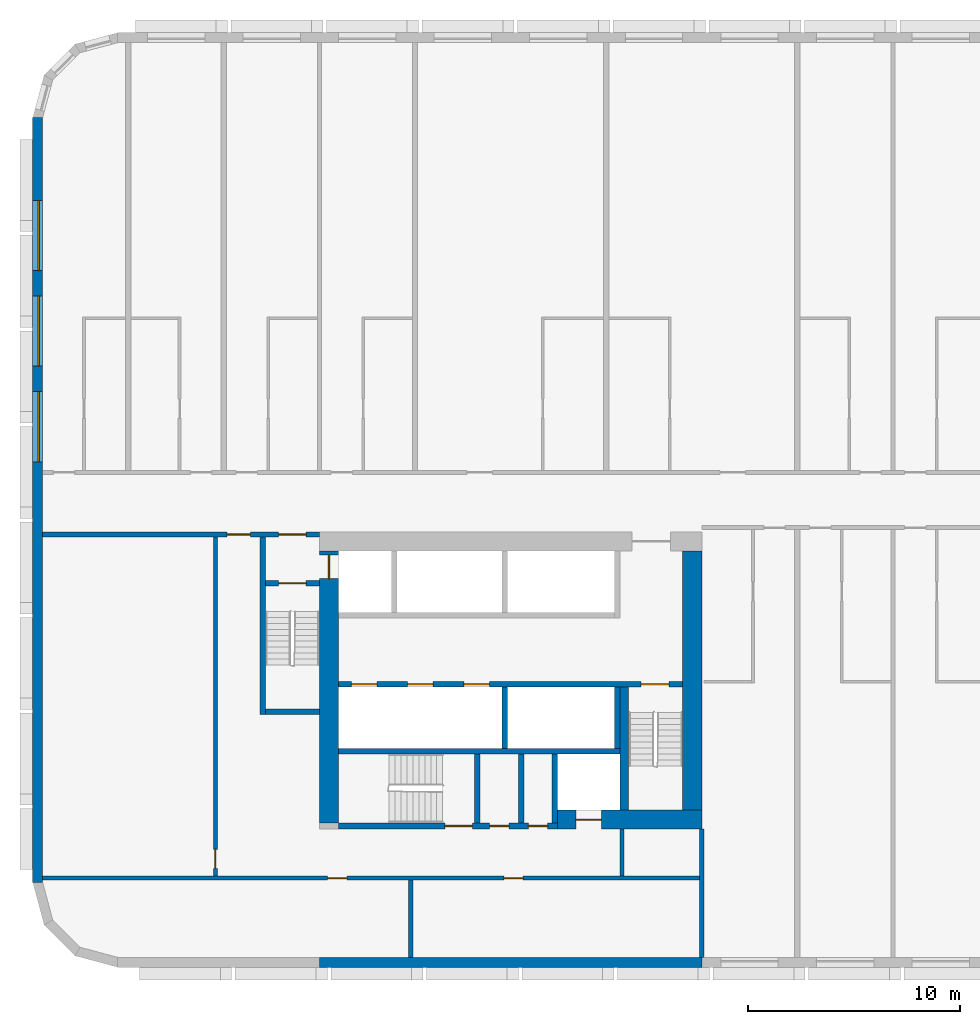
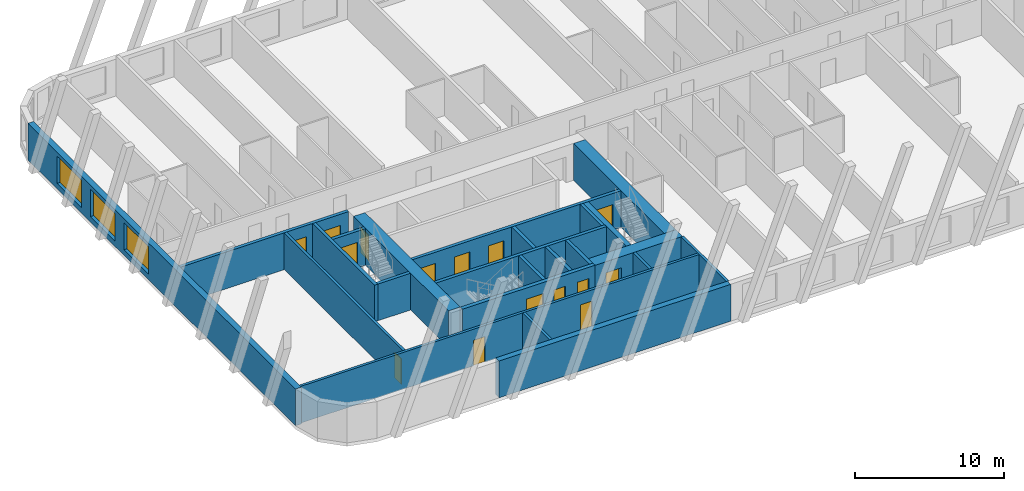
# One storey, part 2 of 13: 23 walls, 15 doors, 3 windows, 18 openings.
"""IFC4 building model written with IfcOpenShell, lengths in metres."""

import ifcopenshell
import ifcopenshell.guid

model = None  # the IFC model being written
_history = None  # IfcOwnerHistory: only IFC2X3 demands one
_inside = {}  # id of a spatial element -> (the spatial element, [elements in it])
_under = {}  # id of a project, library or spatial element -> (it, [spatial elements below it])
_declared = {}  # id of a project -> (the project, [libraries it declares])
_typed = {}  # id of a type object -> (the type object, [elements of that type])
_made_of = {}  # id of a material, layer set ... -> (it, [elements and type objects made of it])


def new_model(schema):
    """Start an empty IFC model of exactly this schema.

    Asked for "IFC4X3", IfcOpenShell would pick the latest addendum, in which some entities
    have other attributes; the version numbers below select the first issue.
    IFC2X3 requires an IfcOwnerHistory on every rooted entity: one is made here for all.
    """
    global model, _history
    if schema == "IFC4X3":
        model = ifcopenshell.file(schema_version=(4, 3, 0, 0))
    else:
        model = ifcopenshell.file(schema=schema)
    _inside.clear()
    _under.clear()
    _declared.clear()
    _typed.clear()
    _made_of.clear()
    _history = None
    if model.schema == "IFC2X3":
        org = make("IfcOrganization", Name="unknown")
        user = make(
            "IfcPersonAndOrganization",
            ThePerson=make("IfcPerson", FamilyName="unknown"),
            TheOrganization=org,
        )
        app = make(
            "IfcApplication",
            ApplicationDeveloper=org,
            Version="unknown",
            ApplicationFullName="unknown",
            ApplicationIdentifier="unknown",
        )
        _history = make(
            "IfcOwnerHistory",
            OwningUser=user,
            OwningApplication=app,
            ChangeAction="ADDED",
            CreationDate=0,
        )
    return model


def make(cls, **values):
    """One entity of the class cls with the attributes given. An attribute that is None is left unset."""
    return model.create_entity(
        cls, **{name: value for name, value in values.items() if value is not None}
    )


def rooted(cls, **values):
    """An entity with a GlobalId (a new one), such as an element, a storey or a relation."""
    return make(cls, GlobalId=ifcopenshell.guid.new(), OwnerHistory=_history, **values)


def si_unit(unit_type, name, prefix=None):
    """IfcSIUnit, for example si_unit("LENGTHUNIT", "METRE", prefix="MILLI")."""
    return make("IfcSIUnit", UnitType=unit_type, Prefix=prefix, Name=name)


def assignment(units):
    """IfcUnitAssignment: the units of a project."""
    return None if units is None else make("IfcUnitAssignment", Units=units)


def point(xyz):
    """IfcCartesianPoint."""
    return None if xyz is None else make("IfcCartesianPoint", Coordinates=xyz)


def direction(xyz):
    """IfcDirection."""
    return None if xyz is None else make("IfcDirection", DirectionRatios=xyz)


def frame(location, z_axis=None, x_axis=None):
    """IfcAxis2Placement3D, a coordinate frame: its origin and axes. An axis left out is left unset."""
    return make(
        "IfcAxis2Placement3D",
        Location=point(location),
        Axis=direction(z_axis),
        RefDirection=direction(x_axis),
    )


def frame_2d(location, x_axis=None):
    """IfcAxis2Placement2D, a coordinate frame in the plane: its origin and x axis."""
    return make(
        "IfcAxis2Placement2D", Location=point(location), RefDirection=direction(x_axis)
    )


def origin():
    """The frame at (0, 0, 0) with its axes left unset."""
    return frame((0.0, 0.0, 0.0))


def place(relative_to, where):
    """IfcLocalPlacement: puts the frame where relative to a parent placement (None: the world)."""
    return make(
        "IfcLocalPlacement", PlacementRelTo=relative_to, RelativePlacement=where
    )


def context(
    kind, dimensions, precision=None, world=None, true_north=None, identifier=None
):
    """IfcGeometricRepresentationContext, for example the 3D "Model" context."""
    return make(
        "IfcGeometricRepresentationContext",
        ContextIdentifier=identifier,
        ContextType=kind,
        CoordinateSpaceDimension=dimensions,
        Precision=precision,
        WorldCoordinateSystem=world,
        TrueNorth=true_north,
    )


def subcontext(parent, identifier, kind, view, scale=None):
    """IfcGeometricRepresentationSubContext, for example "Body" below "Model"."""
    return make(
        "IfcGeometricRepresentationSubContext",
        ContextIdentifier=identifier,
        ContextType=kind,
        ParentContext=parent,
        TargetScale=scale,
        TargetView=view,
    )


def project(units=None, contexts=None):
    """IfcProject with its units and contexts."""
    return rooted(
        "IfcProject",
        Name="project",
        RepresentationContexts=contexts,
        UnitsInContext=assignment(units),
    )


def spatial(cls, under=None, at=None, **own):
    """A site, building, storey or space (cls), placed at a placement, below another one or the project."""
    s = rooted(cls, ObjectPlacement=at, **own)
    if under is not None:
        _under.setdefault(under.id(), (under, []))[1].append(s)
    return s


def profile(cls, at=None, kind="AREA", **sizes):
    """A parametric profile (cls). Its sizes go by their IFC names, for example OverallWidth=200.0."""
    return make(cls, ProfileType=kind, Position=at, **sizes)


def rectangle(**sizes):
    """IfcRectangleProfileDef."""
    return profile("IfcRectangleProfileDef", **sizes)


def extrude(swept, where, along, depth):
    """IfcExtrudedAreaSolid: the profile swept, set in the frame where, extruded along a direction by depth."""
    return make(
        "IfcExtrudedAreaSolid",
        SweptArea=swept,
        Position=where,
        ExtrudedDirection=direction(along),
        Depth=depth,
    )


def shape(context_of_items, identifier, shape_type, items):
    """IfcShapeRepresentation: the items that make up one representation, for example the "Body"."""
    return make(
        "IfcShapeRepresentation",
        ContextOfItems=context_of_items,
        RepresentationIdentifier=identifier,
        RepresentationType=shape_type,
        Items=items,
    )


def material(Name=None, Category=None):
    """IfcMaterial."""
    return make("IfcMaterial", Name=Name, Category=Category)


def layer(
    of_material, thickness, ventilated=None, Name=None, Category=None, Priority=None
):
    """IfcMaterialLayer: one layer of a wall or slab, of a material (None: an air gap)."""
    return make(
        "IfcMaterialLayer",
        Material=of_material,
        LayerThickness=thickness,
        IsVentilated=ventilated,
        Name=Name,
        Category=Category,
        Priority=Priority,
    )


def layer_set(layers, Name=None):
    """IfcMaterialLayerSet."""
    return make("IfcMaterialLayerSet", MaterialLayers=layers, LayerSetName=Name)


def made_of(thing, what):
    """Note that an element or type object is made of a material, layer set ...; save() writes the relation."""
    if what is not None:
        _made_of.setdefault(what.id(), (what, []))[1].append(thing)
    return thing


def type_object(cls, material=None, **own):
    """A type object (cls), such as IfcWallType, which elements share."""
    return made_of(rooted(cls, **own), material)


def element(
    cls,
    number,
    at=None,
    inside=None,
    cuts=None,
    type_object=None,
    material=None,
    context=None,
    identifier="Body",
    shape_type=None,
    held_by="IfcProductDefinitionShape",
    body=None,
    shapes=None,
    **own,
):
    """One element of the class cls, such as IfcWall. Its Tag is "e" and its number.

    at: its placement. inside: the storey or other place that contains it. cuts: it is an
    opening in that element (IfcRelVoidsElement). A single representation is given by context,
    identifier, shape_type and body (its items); several are given by shapes. held_by: the class
    of the entity that holds the representations. save() writes the other relations.
    """
    e = rooted(cls, Tag="e%d" % number, ObjectPlacement=at, **own)
    if body is not None:
        shapes = [shape(context, identifier, shape_type, body)]
    if shapes is not None:
        e.Representation = make(held_by, Representations=shapes)
    if inside is not None:
        _inside.setdefault(inside.id(), (inside, []))[1].append(e)
    if cuts is not None:
        rooted(
            "IfcRelVoidsElement", RelatingBuildingElement=cuts, RelatedOpeningElement=e
        )
    if type_object is not None:
        _typed.setdefault(type_object.id(), (type_object, []))[1].append(e)
    return made_of(e, material)


def fill(opening, filler):
    """IfcRelFillsElement: the door or window that sits in an opening."""
    return rooted(
        "IfcRelFillsElement",
        RelatingOpeningElement=opening,
        RelatedBuildingElement=filler,
    )


def aggregate(whole, parts):
    """IfcRelAggregates: a whole, such as a stair, and the parts it consists of."""
    return rooted("IfcRelAggregates", RelatingObject=whole, RelatedObjects=parts)


def save(model, path):
    """Write the relations noted so far, then the file.

    IfcRelAggregates (storeys below a building ...), IfcRelContainedInSpatialStructure (elements
    in a storey), IfcRelDefinesByType, IfcRelAssociatesMaterial and IfcRelDeclares: one each for
    every whole, place, type object, material and project.
    """
    for whole, parts in _under.values():
        aggregate(whole, parts)
    for where, things in _inside.values():
        rooted(
            "IfcRelContainedInSpatialStructure",
            RelatedElements=things,
            RelatingStructure=where,
        )
    for kind, things in _typed.values():
        rooted("IfcRelDefinesByType", RelatedObjects=things, RelatingType=kind)
    for what, things in _made_of.values():
        rooted("IfcRelAssociatesMaterial", RelatedObjects=things, RelatingMaterial=what)
    for by, libraries in _declared.values():
        rooted("IfcRelDeclares", RelatingContext=by, RelatedDefinitions=libraries)
    model.write(path)


model = new_model("IFC4")

# Units and contexts
model_context = context("Model", 3, precision=1e-05, world=origin(), true_north=direction((0.0, 1.0)))
body_context = subcontext(model_context, "Body", "Model", "MODEL_VIEW")
ifc_project = project(units=[si_unit("LENGTHUNIT", "METRE"), si_unit("AREAUNIT", "SQUARE_METRE"), si_unit("VOLUMEUNIT", "CUBIC_METRE"), si_unit("PLANEANGLEUNIT", "RADIAN"), si_unit("MASSUNIT", "GRAM", prefix="KILO")], contexts=[model_context])

# Site, building, storey
site_placement = place(None, origin())
site = spatial("IfcSite", under=ifc_project, at=site_placement, CompositionType="ELEMENT")
building_placement = place(site_placement, origin())
building = spatial("IfcBuilding", under=site, at=building_placement, Name="Kajstack Hotel Tower", CompositionType="ELEMENT")
storey_placement = place(building_placement, frame((0.0, 0.0, 69.89990234375)))
storey = spatial("IfcBuildingStorey", under=building, at=storey_placement, Name="L12", CompositionType="ELEMENT", Elevation=69.89990234375)

# Wall, opening, door
ifc_material_1 = material(Name="Concrete C60/75", Category="concrete")
ifc_layer_1 = layer(ifc_material_1, 0.89990234375)
ifc_layer_set_1 = layer_set([ifc_layer_1], Name="Core wall 900")
wall_type_1 = type_object("IfcWallType", Name="Core wall 900", PredefinedType="SHEAR", material=ifc_layer_set_1)
wall_1_placement = place(storey_placement, frame((-20.300048828125, -15.050048828125, 0.0), z_axis=(0.0, 0.0, 1.0), x_axis=(1.0, 0.0, 0.0)))
wall_1 = element("IfcWall", 1, at=wall_1_placement, inside=storey, type_object=wall_type_1, Name="Core wall W RS", PredefinedType="SHEAR", context=body_context, shape_type="SweptSolid", body=[
    extrude(rectangle(XDim=6.800048828125, YDim=0.89990234375, at=frame_2d((3.39990234375, 0.0))), origin(), (0.0, 0.0, 1.0), 3.02001953125),
])
opening_1_placement = place(wall_1_placement, frame((0.875, 0.0, 0.0)))
opening_1 = element("IfcOpeningElement", 2, at=opening_1_placement, cuts=wall_1, Name="Opening LD-SV1", PredefinedType="OPENING", context=body_context, shape_type="SweptSolid", body=[
    extrude(rectangle(XDim=1.199951171875, YDim=2.10009765625, at=frame_2d((0.60009765625, 1.050048828125))), frame((0.0, 0.4599609375, 0.0), z_axis=(0.0, -1.0, 0.0), x_axis=(1.0, 0.0, 0.0)), (0.0, 0.0, 1.0), 0.919921875),
])
ifc_material_2 = material(Name="Stainless steel", Category="steel")
door_type_1 = type_object("IfcDoorType", Name="Lift landing door 1200", OperationType="SLIDING_TO_LEFT", PredefinedType="DOOR", material=ifc_material_2)
door_1_placement = place(opening_1_placement, origin())
door_1 = element("IfcDoor", 3, at=door_1_placement, inside=storey, type_object=door_type_1, Name="Landing door SV1", OperationType="SLIDING_TO_LEFT", OverallHeight=2.10009765625, OverallWidth=1.199951171875, PredefinedType="DOOR", context=body_context, shape_type="SweptSolid", body=[
    extrude(rectangle(XDim=1.199951171875, YDim=2.10009765625, at=frame_2d((0.60009765625, 1.050048828125))), frame((0.0, 0.02490234375, 0.0), z_axis=(0.0, -1.0, 0.0), x_axis=(1.0, 0.0, 0.0)), (0.0, 0.0, 1.0), 0.050048828125),
])
fill(opening_1, door_1)

wall_2_placement = place(storey_placement, frame((-31.050048828125, -15.199951171875, 0.0), z_axis=(0.0, 0.0, 1.0), x_axis=(0.0, 1.0, 0.0)))
wall_2 = element("IfcWall", 4, at=wall_2_placement, inside=storey, type_object=wall_type_1, Name="Core wall W RW", PredefinedType="SHEAR", context=body_context, shape_type="SweptSolid", body=[
    extrude(rectangle(XDim=12.800048828125, YDim=0.89990234375, at=frame_2d((6.39990234375, 0.0))), origin(), (0.0, 0.0, 1.0), 3.02001953125),
])
opening_2_placement = place(wall_2_placement, frame((11.5, 0.0, 0.0)))
opening_2 = element("IfcOpeningElement", 5, at=opening_2_placement, cuts=wall_2, Name="Opening LD-FF1", PredefinedType="OPENING", context=body_context, shape_type="SweptSolid", body=[
    extrude(rectangle(XDim=1.10009765625, YDim=2.10009765625, at=frame_2d((0.550048828125, 1.050048828125))), frame((0.0, 0.4599609375, 0.0), z_axis=(0.0, -1.0, 0.0), x_axis=(1.0, 0.0, 0.0)), (0.0, 0.0, 1.0), 0.919921875),
])
door_type_2 = type_object("IfcDoorType", Name="Fire-fighting lift landing door 1100", OperationType="SLIDING_TO_LEFT", PredefinedType="DOOR", material=ifc_material_2)
door_2_placement = place(opening_2_placement, origin())
door_2 = element("IfcDoor", 6, at=door_2_placement, inside=storey, type_object=door_type_2, Name="Landing door FF1", OperationType="SLIDING_TO_RIGHT", OverallHeight=2.10009765625, OverallWidth=1.10009765625, PredefinedType="DOOR", context=body_context, shape_type="SweptSolid", body=[
    extrude(rectangle(XDim=1.10009765625, YDim=2.10009765625, at=frame_2d((0.550048828125, 1.050048828125))), frame((0.0, 0.02490234375, 0.0), z_axis=(0.0, -1.0, 0.0), x_axis=(1.0, 0.0, 0.0)), (0.0, 0.0, 1.0), 0.050048828125),
])
fill(opening_2, door_2)

# Walls
wall_3_placement = place(storey_placement, frame((-13.949951171875, -14.60009765625, 0.0), z_axis=(0.0, 0.0, 1.0), x_axis=(0.0, 1.0, 0.0)))
element("IfcWall", 7, at=wall_3_placement, inside=storey, type_object=wall_type_1, Name="Core wall W RE", PredefinedType="SHEAR", context=body_context, shape_type="SweptSolid", body=[
    extrude(rectangle(XDim=12.2001953125, YDim=0.89990234375, at=frame_2d((6.10009765625, 0.0))), origin(), (0.0, 0.0, 1.0), 3.02001953125),
])
ifc_material_3 = material(Name="Twin-frame gypsum board on steel studs, mineral wool", Category="steel")
ifc_layer_2 = layer(ifc_material_3, 0.199951171875)
ifc_layer_set_2 = layer_set([ifc_layer_2], Name="Demising wall 200")
wall_type_2 = type_object("IfcWallType", Name="Demising wall 200", PredefinedType="PARTITIONING", material=ifc_layer_set_2)
wall_4_placement = place(storey_placement, frame((-13.5, -21.550048828125, 0.0), z_axis=(0.0, 0.0, 1.0), x_axis=(0.0, 1.0, 0.0)))
element("IfcWall", 8, at=wall_4_placement, inside=storey, type_object=wall_type_2, Name="G-wall-L12-002", PredefinedType="PARTITIONING", context=body_context, shape_type="SweptSolid", body=[
    extrude(rectangle(XDim=6.050048828125, YDim=0.199951171875, at=frame_2d((3.02490234375, 0.0))), origin(), (0.0, 0.0, 1.0), 3.02001953125),
])
ifc_material_4 = material(Name="Concrete C40/50", Category="concrete")
ifc_layer_3 = layer(ifc_material_4, 0.449951171875)
ifc_layer_set_3 = layer_set([ifc_layer_3], Name="EW-CORE")
wall_type_3 = type_object("IfcWallType", Name="EW-CORE", PredefinedType="SOLIDWALL", material=ifc_layer_set_3)
wall_5_placement = place(storey_placement, frame((-31.5, -21.77490234375, 0.0), z_axis=(0.0, 0.0, 1.0), x_axis=(1.0, 0.0, 0.0)))
element("IfcWall", 9, at=wall_5_placement, inside=storey, type_object=wall_type_3, Name="E-wall-L12-03-01", PredefinedType="SOLIDWALL", context=body_context, shape_type="SweptSolid", body=[
    extrude(rectangle(XDim=18.0, YDim=0.449951171875, at=frame_2d((9.0, 0.0))), origin(), (0.0, 0.0, 1.0), 3.02001953125),
])

# Wall, openings, windows
ifc_material_5 = material(Name="Terracotta-faced brick masonry", Category="masonry")
ifc_layer_4 = layer(ifc_material_5, 0.449951171875)
ifc_layer_set_4 = layer_set([ifc_layer_4], Name="EW-TERRA")
wall_type_4 = type_object("IfcWallType", Name="EW-TERRA", PredefinedType="SOLIDWALL", material=ifc_layer_set_4)
wall_6_placement = place(storey_placement, frame((-44.77490234375, 18.0, 0.0), z_axis=(0.0, 0.0, 1.0), x_axis=(0.0, -1.0, 0.0)))
wall_6 = element("IfcWall", 10, at=wall_6_placement, inside=storey, type_object=wall_type_4, Name="E-wall-L12-15-00", PredefinedType="SOLIDWALL", context=body_context, shape_type="SweptSolid", body=[
    extrude(rectangle(XDim=36.0, YDim=0.449951171875, at=frame_2d((18.0, 0.0))), origin(), (0.0, 0.0, 1.0), 3.02001953125),
])
opening_3_placement = place(wall_6_placement, frame((3.89990234375, 0.0, 0.449951171875)))
opening_3 = element("IfcOpeningElement", 11, at=opening_3_placement, cuts=wall_6, Name="Opening W2", PredefinedType="OPENING", context=body_context, shape_type="SweptSolid", body=[
    extrude(rectangle(XDim=3.300048828125, YDim=2.25, at=frame_2d((1.64990234375, 1.125))), frame((0.0, 0.23486328125, 0.0), z_axis=(0.0, -1.0, 0.0), x_axis=(1.0, 0.0, 0.0)), (0.0, 0.0, 1.0), 0.469970703125),
])
opening_4_placement = place(wall_6_placement, frame((8.39990234375, 0.0, 0.449951171875)))
opening_4 = element("IfcOpeningElement", 12, at=opening_4_placement, cuts=wall_6, Name="Opening W2", PredefinedType="OPENING", context=body_context, shape_type="SweptSolid", body=[
    extrude(rectangle(XDim=3.300048828125, YDim=2.25, at=frame_2d((1.64990234375, 1.125))), frame((0.0, 0.23486328125, 0.0), z_axis=(0.0, -1.0, 0.0), x_axis=(1.0, 0.0, 0.0)), (0.0, 0.0, 1.0), 0.469970703125),
])
opening_5_placement = place(wall_6_placement, frame((12.89990234375, 0.0, 0.449951171875)))
opening_5 = element("IfcOpeningElement", 13, at=opening_5_placement, cuts=wall_6, Name="Opening W2", PredefinedType="OPENING", context=body_context, shape_type="SweptSolid", body=[
    extrude(rectangle(XDim=3.300048828125, YDim=2.25, at=frame_2d((1.64990234375, 1.125))), frame((0.0, 0.23486328125, 0.0), z_axis=(0.0, -1.0, 0.0), x_axis=(1.0, 0.0, 0.0)), (0.0, 0.0, 1.0), 0.469970703125),
])
ifc_material_6 = material(Name="Timber-aluminium window, triple glazed", Category="wood")
window_type = type_object("IfcWindowType", Name="WG2", PartitioningType="SINGLE_PANEL", PredefinedType="WINDOW", material=ifc_material_6)
window_1_placement = place(opening_3_placement, origin())
window_1 = element("IfcWindow", 14, at=window_1_placement, inside=storey, type_object=window_type, Name="Window W2 L12-15", OverallHeight=2.25, OverallWidth=3.300048828125, PartitioningType="SINGLE_PANEL", PredefinedType="WINDOW", context=body_context, shape_type="SweptSolid", body=[
    extrude(rectangle(XDim=3.300048828125, YDim=2.25, at=frame_2d((1.64990234375, 1.125))), frame((0.0, 0.090087890625, 0.0), z_axis=(0.0, -1.0, 0.0), x_axis=(1.0, 0.0, 0.0)), (0.0, 0.0, 1.0), 0.06005859375),
])
fill(opening_3, window_1)
window_2_placement = place(opening_4_placement, origin())
window_2 = element("IfcWindow", 15, at=window_2_placement, inside=storey, type_object=window_type, Name="Window W2 L12-15", OverallHeight=2.25, OverallWidth=3.300048828125, PartitioningType="SINGLE_PANEL", PredefinedType="WINDOW", context=body_context, shape_type="SweptSolid", body=[
    extrude(rectangle(XDim=3.300048828125, YDim=2.25, at=frame_2d((1.64990234375, 1.125))), frame((0.0, 0.090087890625, 0.0), z_axis=(0.0, -1.0, 0.0), x_axis=(1.0, 0.0, 0.0)), (0.0, 0.0, 1.0), 0.06005859375),
])
fill(opening_4, window_2)
window_3_placement = place(opening_5_placement, origin())
window_3 = element("IfcWindow", 16, at=window_3_placement, inside=storey, type_object=window_type, Name="Window W2 L12-15", OverallHeight=2.25, OverallWidth=3.300048828125, PartitioningType="SINGLE_PANEL", PredefinedType="WINDOW", context=body_context, shape_type="SweptSolid", body=[
    extrude(rectangle(XDim=3.300048828125, YDim=2.25, at=frame_2d((1.64990234375, 1.125))), frame((0.0, 0.090087890625, 0.0), z_axis=(0.0, -1.0, 0.0), x_axis=(1.0, 0.0, 0.0)), (0.0, 0.0, 1.0), 0.06005859375),
])
fill(opening_5, window_3)

# Walls
ifc_material_7 = material(Name="Concrete C50/60", Category="concrete")
ifc_layer_5 = layer(ifc_material_7, 0.300048828125)
ifc_layer_set_5 = layer_set([ifc_layer_5], Name="Hoistway divider wall 300")
wall_type_5 = type_object("IfcWallType", Name="Hoistway divider wall 300", PredefinedType="SHEAR", material=ifc_layer_set_5)
wall_7_placement = place(storey_placement, frame((-22.77490234375, -11.699951171875, 0.0), z_axis=(0.0, 0.0, 1.0), x_axis=(0.0, 1.0, 0.0)))
element("IfcWall", 17, at=wall_7_placement, inside=storey, type_object=wall_type_5, Name="Core wall W BP2", PredefinedType="SHEAR", context=body_context, shape_type="SweptSolid", body=[
    extrude(rectangle(XDim=2.89990234375, YDim=0.25, at=frame_2d((1.449951171875, 0.0))), origin(), (0.0, 0.0, 1.0), 3.02001953125),
])
ifc_material_8 = material(Name="Concrete block masonry", Category="masonry")
ifc_layer_6 = layer(ifc_material_8, 0.25)
ifc_layer_set_6 = layer_set([ifc_layer_6], Name="Riser partition 250")
wall_type_6 = type_object("IfcWallType", Name="Riser partition 250", PredefinedType="PARTITIONING", material=ifc_layer_set_6)
wall_8_placement = place(storey_placement, frame((-22.0, -15.199951171875, 0.0), z_axis=(0.0, 0.0, 1.0), x_axis=(0.0, 1.0, 0.0)))
element("IfcWall", 18, at=wall_8_placement, inside=storey, type_object=wall_type_6, Name="Partition W SZ0", PredefinedType="PARTITIONING", context=body_context, shape_type="SweptSolid", body=[
    extrude(rectangle(XDim=3.25, YDim=0.25, at=frame_2d((1.625, 0.0))), origin(), (0.0, 0.0, 1.0), 3.02001953125),
])

# Wall, openings, doors
ifc_material_9 = material(Name="Gypsum board on steel studs, mineral wool", Category="steel")
ifc_layer_7 = layer(ifc_material_9, 0.199951171875)
ifc_layer_set_7 = layer_set([ifc_layer_7], Name="Service partition 200")
wall_type_7 = type_object("IfcWallType", Name="Service partition 200", PredefinedType="PARTITIONING", material=ifc_layer_set_7)
wall_9_placement = place(storey_placement, frame((-44.550048828125, -1.625, 0.0), z_axis=(0.0, 0.0, 1.0), x_axis=(1.0, 0.0, 0.0)))
wall_9 = element("IfcWall", 19, at=wall_9_placement, inside=storey, type_object=wall_type_7, Name="Partition W SN", PredefinedType="PARTITIONING", context=body_context, shape_type="SweptSolid", body=[
    extrude(rectangle(XDim=13.050048828125, YDim=0.25, at=frame_2d((6.52490234375, 0.0))), origin(), (0.0, 0.0, 1.0), 3.02001953125),
])
opening_6_placement = place(wall_9_placement, frame((11.125, 0.0, 0.0)))
opening_6 = element("IfcOpeningElement", 20, at=opening_6_placement, cuts=wall_9, Name="Opening 12W07", PredefinedType="OPENING", context=body_context, shape_type="SweptSolid", body=[
    extrude(rectangle(XDim=1.300048828125, YDim=2.10009765625, at=frame_2d((0.64990234375, 1.050048828125))), frame((0.0, 0.135009765625, 0.0), z_axis=(0.0, -1.0, 0.0), x_axis=(1.0, 0.0, 0.0)), (0.0, 0.0, 1.0), 0.27001953125),
])
opening_7_placement = place(wall_9_placement, frame((8.699951171875, 0.0, 0.0)))
opening_7 = element("IfcOpeningElement", 21, at=opening_7_placement, cuts=wall_9, Name="Opening 12W09", PredefinedType="OPENING", context=body_context, shape_type="SweptSolid", body=[
    extrude(rectangle(XDim=1.10009765625, YDim=2.10009765625, at=frame_2d((0.550048828125, 1.050048828125))), frame((0.0, 0.135009765625, 0.0), z_axis=(0.0, -1.0, 0.0), x_axis=(1.0, 0.0, 0.0)), (0.0, 0.0, 1.0), 0.27001953125),
])
ifc_material_10 = material(Name="Steel leaf, fire-rated", Category="steel")
door_type_3 = type_object("IfcDoorType", Name="Fire lobby door 1300", OperationType="SINGLE_SWING_LEFT", PredefinedType="DOOR", material=ifc_material_10)
door_3_placement = place(opening_6_placement, origin())
door_3 = element("IfcDoor", 22, at=door_3_placement, inside=storey, type_object=door_type_3, Name="Door 12W07", OperationType="SINGLE_SWING_RIGHT", OverallHeight=2.10009765625, OverallWidth=1.300048828125, PredefinedType="DOOR", context=body_context, shape_type="SweptSolid", body=[
    extrude(rectangle(XDim=1.300048828125, YDim=2.10009765625, at=frame_2d((0.64990234375, 1.050048828125))), frame((0.0, 0.02490234375, 0.0), z_axis=(0.0, -1.0, 0.0), x_axis=(1.0, 0.0, 0.0)), (0.0, 0.0, 1.0), 0.050048828125),
])
fill(opening_6, door_3)
ifc_material_11 = material(Name="Timber leaf, fire-rated", Category="wood")
door_type_4 = type_object("IfcDoorType", Name="Service corridor door 1100", OperationType="SINGLE_SWING_LEFT", PredefinedType="DOOR", material=ifc_material_11)
door_4_placement = place(opening_7_placement, origin())
door_4 = element("IfcDoor", 23, at=door_4_placement, inside=storey, type_object=door_type_4, Name="Door 12W09", OperationType="SINGLE_SWING_RIGHT", OverallHeight=2.10009765625, OverallWidth=1.10009765625, PredefinedType="DOOR", context=body_context, shape_type="SweptSolid", body=[
    extrude(rectangle(XDim=1.10009765625, YDim=2.10009765625, at=frame_2d((0.550048828125, 1.050048828125))), frame((0.0, 0.02490234375, 0.0), z_axis=(0.0, -1.0, 0.0), x_axis=(1.0, 0.0, 0.0)), (0.0, 0.0, 1.0), 0.050048828125),
])
fill(opening_7, door_4)

# Wall
wall_10_placement = place(storey_placement, frame((-17.25, -17.699951171875, 0.0), z_axis=(0.0, 0.0, 1.0), x_axis=(0.0, 1.0, 0.0)))
element("IfcWall", 24, at=wall_10_placement, inside=storey, type_object=wall_type_7, Name="Partition W SCE", PredefinedType="PARTITIONING", context=body_context, shape_type="SweptSolid", body=[
    extrude(rectangle(XDim=2.199951171875, YDim=0.199951171875, at=frame_2d((1.10009765625, 0.0))), origin(), (0.0, 0.0, 1.0), 3.02001953125),
])

# Wall, opening, door
wall_11_placement = place(storey_placement, frame((-36.39990234375, -17.699951171875, 0.0), z_axis=(0.0, 0.0, 1.0), x_axis=(0.0, 1.0, 0.0)))
wall_11 = element("IfcWall", 25, at=wall_11_placement, inside=storey, type_object=wall_type_7, Name="Partition W WRE", PredefinedType="PARTITIONING", context=body_context, shape_type="SweptSolid", body=[
    extrude(rectangle(XDim=15.949951171875, YDim=0.199951171875, at=frame_2d((7.97509765625, 0.0))), origin(), (0.0, 0.0, 1.0), 3.02001953125),
])
opening_8_placement = place(wall_11_placement, frame((0.35009765625, 0.0, 0.0)))
opening_8 = element("IfcOpeningElement", 26, at=opening_8_placement, cuts=wall_11, Name="Opening 12W16", PredefinedType="OPENING", context=body_context, shape_type="SweptSolid", body=[
    extrude(rectangle(XDim=0.89990234375, YDim=2.10009765625, at=frame_2d((0.449951171875, 1.050048828125))), frame((0.0, 0.10986328125, 0.0), z_axis=(0.0, -1.0, 0.0), x_axis=(1.0, 0.0, 0.0)), (0.0, 0.0, 1.0), 0.219970703125),
])
door_type_5 = type_object("IfcDoorType", Name="Service door 900", OperationType="SINGLE_SWING_LEFT", PredefinedType="DOOR", material=ifc_material_11)
door_5_placement = place(opening_8_placement, origin())
door_5 = element("IfcDoor", 27, at=door_5_placement, inside=storey, type_object=door_type_5, Name="Door 12W16", OperationType="SINGLE_SWING_LEFT", OverallHeight=2.10009765625, OverallWidth=0.89990234375, PredefinedType="DOOR", context=body_context, shape_type="SweptSolid", body=[
    extrude(rectangle(XDim=0.89990234375, YDim=2.10009765625, at=frame_2d((0.449951171875, 1.050048828125))), frame((0.0, 0.02490234375, 0.0), z_axis=(0.0, -1.0, 0.0), x_axis=(1.0, 0.0, 0.0)), (0.0, 0.0, 1.0), 0.050048828125),
])
fill(opening_8, door_5)

# Wall, openings, doors
wall_12_placement = place(storey_placement, frame((-44.550048828125, -17.800048828125, 0.0), z_axis=(0.0, 0.0, 1.0), x_axis=(1.0, 0.0, 0.0)))
wall_12 = element("IfcWall", 28, at=wall_12_placement, inside=storey, type_object=wall_type_7, Name="Partition W SLN", PredefinedType="PARTITIONING", context=body_context, shape_type="SweptSolid", body=[
    extrude(rectangle(XDim=30.949951171875, YDim=0.199951171875, at=frame_2d((15.47509765625, 0.0))), origin(), (0.0, 0.0, 1.0), 3.02001953125),
])
opening_9_placement = place(wall_12_placement, frame((13.4375, 0.0, 0.0)))
opening_9 = element("IfcOpeningElement", 29, at=opening_9_placement, cuts=wall_12, Name="Opening 12W14", PredefinedType="OPENING", context=body_context, shape_type="SweptSolid", body=[
    extrude(rectangle(XDim=0.89990234375, YDim=2.10009765625, at=frame_2d((0.449951171875, 1.050048828125))), frame((0.0, 0.10986328125, 0.0), z_axis=(0.0, -1.0, 0.0), x_axis=(1.0, 0.0, 0.0)), (0.0, 0.0, 1.0), 0.219970703125),
])
opening_10_placement = place(wall_12_placement, frame((21.737548828125, 0.0, 0.0)))
opening_10 = element("IfcOpeningElement", 30, at=opening_10_placement, cuts=wall_12, Name="Opening 12W15", PredefinedType="OPENING", context=body_context, shape_type="SweptSolid", body=[
    extrude(rectangle(XDim=0.89990234375, YDim=2.10009765625, at=frame_2d((0.449951171875, 1.050048828125))), frame((0.0, 0.10986328125, 0.0), z_axis=(0.0, -1.0, 0.0), x_axis=(1.0, 0.0, 0.0)), (0.0, 0.0, 1.0), 0.219970703125),
])
door_6_placement = place(opening_9_placement, origin())
door_6 = element("IfcDoor", 31, at=door_6_placement, inside=storey, type_object=door_type_5, Name="Door 12W14", OperationType="SINGLE_SWING_RIGHT", OverallHeight=2.10009765625, OverallWidth=0.89990234375, PredefinedType="DOOR", context=body_context, shape_type="SweptSolid", body=[
    extrude(rectangle(XDim=0.89990234375, YDim=2.10009765625, at=frame_2d((0.449951171875, 1.050048828125))), frame((0.0, 0.02490234375, 0.0), z_axis=(0.0, -1.0, 0.0), x_axis=(1.0, 0.0, 0.0)), (0.0, 0.0, 1.0), 0.050048828125),
])
fill(opening_9, door_6)
door_7_placement = place(opening_10_placement, origin())
door_7 = element("IfcDoor", 32, at=door_7_placement, inside=storey, type_object=door_type_5, Name="Door 12W15", OperationType="SINGLE_SWING_RIGHT", OverallHeight=2.10009765625, OverallWidth=0.89990234375, PredefinedType="DOOR", context=body_context, shape_type="SweptSolid", body=[
    extrude(rectangle(XDim=0.89990234375, YDim=2.10009765625, at=frame_2d((0.449951171875, 1.050048828125))), frame((0.0, 0.02490234375, 0.0), z_axis=(0.0, -1.0, 0.0), x_axis=(1.0, 0.0, 0.0)), (0.0, 0.0, 1.0), 0.050048828125),
])
fill(opening_10, door_7)

# Wall
wall_13_placement = place(storey_placement, frame((-27.199951171875, -21.550048828125, 0.0), z_axis=(0.0, 0.0, 1.0), x_axis=(0.0, 1.0, 0.0)))
element("IfcWall", 33, at=wall_13_placement, inside=storey, type_object=wall_type_7, Name="Partition W SLP0", PredefinedType="PARTITIONING", context=body_context, shape_type="SweptSolid", body=[
    extrude(rectangle(XDim=3.650146484375, YDim=0.199951171875, at=frame_2d((1.8251953125, 0.0))), origin(), (0.0, 0.0, 1.0), 3.02001953125),
])

# Wall, openings, doors
ifc_layer_8 = layer(ifc_material_7, 0.25)
ifc_layer_set_8 = layer_set([ifc_layer_8], Name="Shaft wall 250")
wall_type_8 = type_object("IfcWallType", Name="Shaft wall 250", PredefinedType="SHEAR", material=ifc_layer_set_8)
wall_14_placement = place(storey_placement, frame((-30.60009765625, -15.35009765625, 0.0), z_axis=(0.0, 0.0, 1.0), x_axis=(1.0, 0.0, 0.0)))
wall_14 = element("IfcWall", 34, at=wall_14_placement, inside=storey, type_object=wall_type_8, Name="Core wall W RSS", PredefinedType="SHEAR", context=body_context, shape_type="SweptSolid", body=[
    extrude(rectangle(XDim=10.300048828125, YDim=0.300048828125, at=frame_2d((5.14990234375, 0.0))), origin(), (0.0, 0.0, 1.0), 3.02001953125),
])
opening_11_placement = place(wall_14_placement, frame((5.0, 0.0, 0.0)))
opening_11 = element("IfcOpeningElement", 35, at=opening_11_placement, cuts=wall_14, Name="Opening 12W11", PredefinedType="OPENING", context=body_context, shape_type="SweptSolid", body=[
    extrude(rectangle(XDim=1.300048828125, YDim=2.10009765625, at=frame_2d((0.64990234375, 1.050048828125))), frame((0.0, 0.159912109375, 0.0), z_axis=(0.0, -1.0, 0.0), x_axis=(1.0, 0.0, 0.0)), (0.0, 0.0, 1.0), 0.320068359375),
])
opening_12_placement = place(wall_14_placement, frame((7.112548828125, 0.0, 0.0)))
opening_12 = element("IfcOpeningElement", 36, at=opening_12_placement, cuts=wall_14, Name="Opening 12W12", PredefinedType="OPENING", context=body_context, shape_type="SweptSolid", body=[
    extrude(rectangle(XDim=0.89990234375, YDim=2.10009765625, at=frame_2d((0.449951171875, 1.050048828125))), frame((0.0, 0.159912109375, 0.0), z_axis=(0.0, -1.0, 0.0), x_axis=(1.0, 0.0, 0.0)), (0.0, 0.0, 1.0), 0.320068359375),
])
opening_13_placement = place(wall_14_placement, frame((8.9375, 0.0, 0.0)))
opening_13 = element("IfcOpeningElement", 37, at=opening_13_placement, cuts=wall_14, Name="Opening 12W13", PredefinedType="OPENING", context=body_context, shape_type="SweptSolid", body=[
    extrude(rectangle(XDim=0.89990234375, YDim=2.10009765625, at=frame_2d((0.449951171875, 1.050048828125))), frame((0.0, 0.159912109375, 0.0), z_axis=(0.0, -1.0, 0.0), x_axis=(1.0, 0.0, 0.0)), (0.0, 0.0, 1.0), 0.320068359375),
])
door_8_placement = place(opening_12_placement, origin())
door_8 = element("IfcDoor", 38, at=door_8_placement, inside=storey, type_object=door_type_5, Name="Door 12W12", OperationType="SINGLE_SWING_LEFT", OverallHeight=2.10009765625, OverallWidth=0.89990234375, PredefinedType="DOOR", context=body_context, shape_type="SweptSolid", body=[
    extrude(rectangle(XDim=0.89990234375, YDim=2.10009765625, at=frame_2d((0.449951171875, 1.050048828125))), frame((0.0, 0.02490234375, 0.0), z_axis=(0.0, -1.0, 0.0), x_axis=(1.0, 0.0, 0.0)), (0.0, 0.0, 1.0), 0.050048828125),
])
fill(opening_12, door_8)
door_9_placement = place(opening_13_placement, origin())
door_9 = element("IfcDoor", 39, at=door_9_placement, inside=storey, type_object=door_type_5, Name="Door 12W13", OperationType="SINGLE_SWING_LEFT", OverallHeight=2.10009765625, OverallWidth=0.89990234375, PredefinedType="DOOR", context=body_context, shape_type="SweptSolid", body=[
    extrude(rectangle(XDim=0.89990234375, YDim=2.10009765625, at=frame_2d((0.449951171875, 1.050048828125))), frame((0.0, 0.02490234375, 0.0), z_axis=(0.0, -1.0, 0.0), x_axis=(1.0, 0.0, 0.0)), (0.0, 0.0, 1.0), 0.050048828125),
])
fill(opening_13, door_9)
door_type_6 = type_object("IfcDoorType", Name="Stair door 1300", OperationType="SINGLE_SWING_LEFT", PredefinedType="DOOR", material=ifc_material_10)
door_10_placement = place(opening_11_placement, origin())
door_10 = element("IfcDoor", 40, at=door_10_placement, inside=storey, type_object=door_type_6, Name="Door 12W11", OperationType="SINGLE_SWING_RIGHT", OverallHeight=2.10009765625, OverallWidth=1.300048828125, PredefinedType="DOOR", context=body_context, shape_type="SweptSolid", body=[
    extrude(rectangle(XDim=1.300048828125, YDim=2.10009765625, at=frame_2d((0.64990234375, 1.050048828125))), frame((0.0, 0.02490234375, 0.0), z_axis=(0.0, -1.0, 0.0), x_axis=(1.0, 0.0, 0.0)), (0.0, 0.0, 1.0), 0.050048828125),
])
fill(opening_11, door_10)

wall_15_placement = place(storey_placement, frame((-30.60009765625, -8.675048828125, 0.0), z_axis=(0.0, 0.0, 1.0), x_axis=(1.0, 0.0, 0.0)))
wall_15 = element("IfcWall", 41, at=wall_15_placement, inside=storey, type_object=wall_type_8, Name="Core wall W FB", PredefinedType="SHEAR", context=body_context, shape_type="SweptSolid", body=[
    extrude(rectangle(XDim=16.2001953125, YDim=0.25, at=frame_2d((8.10009765625, 0.0))), origin(), (0.0, 0.0, 1.0), 3.02001953125),
])
opening_14_placement = place(wall_15_placement, frame((0.60009765625, 0.0, 0.0)))
opening_14 = element("IfcOpeningElement", 42, at=opening_14_placement, cuts=wall_15, Name="Opening LD-LR1", PredefinedType="OPENING", context=body_context, shape_type="SweptSolid", body=[
    extrude(rectangle(XDim=1.199951171875, YDim=2.10009765625, at=frame_2d((0.60009765625, 1.050048828125))), frame((0.0, 0.135009765625, 0.0), z_axis=(0.0, -1.0, 0.0), x_axis=(1.0, 0.0, 0.0)), (0.0, 0.0, 1.0), 0.27001953125),
])
opening_15_placement = place(wall_15_placement, frame((3.25, 0.0, 0.0)))
opening_15 = element("IfcOpeningElement", 43, at=opening_15_placement, cuts=wall_15, Name="Opening LD-LR2", PredefinedType="OPENING", context=body_context, shape_type="SweptSolid", body=[
    extrude(rectangle(XDim=1.199951171875, YDim=2.10009765625, at=frame_2d((0.60009765625, 1.050048828125))), frame((0.0, 0.135009765625, 0.0), z_axis=(0.0, -1.0, 0.0), x_axis=(1.0, 0.0, 0.0)), (0.0, 0.0, 1.0), 0.27001953125),
])
opening_16_placement = place(wall_15_placement, frame((5.89990234375, 0.0, 0.0)))
opening_16 = element("IfcOpeningElement", 44, at=opening_16_placement, cuts=wall_15, Name="Opening LD-LR3", PredefinedType="OPENING", context=body_context, shape_type="SweptSolid", body=[
    extrude(rectangle(XDim=1.199951171875, YDim=2.10009765625, at=frame_2d((0.60009765625, 1.050048828125))), frame((0.0, 0.135009765625, 0.0), z_axis=(0.0, -1.0, 0.0), x_axis=(1.0, 0.0, 0.0)), (0.0, 0.0, 1.0), 0.27001953125),
])
opening_17_placement = place(wall_15_placement, frame((14.25, 0.0, 0.0)))
opening_17 = element("IfcOpeningElement", 45, at=opening_17_placement, cuts=wall_15, Name="Opening 12W10", PredefinedType="OPENING", context=body_context, shape_type="SweptSolid", body=[
    extrude(rectangle(XDim=1.300048828125, YDim=2.10009765625, at=frame_2d((0.64990234375, 1.050048828125))), frame((0.0, 0.135009765625, 0.0), z_axis=(0.0, -1.0, 0.0), x_axis=(1.0, 0.0, 0.0)), (0.0, 0.0, 1.0), 0.27001953125),
])
door_11_placement = place(opening_14_placement, origin())
door_11 = element("IfcDoor", 46, at=door_11_placement, inside=storey, type_object=door_type_1, Name="Landing door LR1", OperationType="SLIDING_TO_LEFT", OverallHeight=2.10009765625, OverallWidth=1.199951171875, PredefinedType="DOOR", context=body_context, shape_type="SweptSolid", body=[
    extrude(rectangle(XDim=1.199951171875, YDim=2.10009765625, at=frame_2d((0.60009765625, 1.050048828125))), frame((0.0, 0.02490234375, 0.0), z_axis=(0.0, -1.0, 0.0), x_axis=(1.0, 0.0, 0.0)), (0.0, 0.0, 1.0), 0.050048828125),
])
fill(opening_14, door_11)
door_12_placement = place(opening_15_placement, origin())
door_12 = element("IfcDoor", 47, at=door_12_placement, inside=storey, type_object=door_type_1, Name="Landing door LR2", OperationType="SLIDING_TO_RIGHT", OverallHeight=2.10009765625, OverallWidth=1.199951171875, PredefinedType="DOOR", context=body_context, shape_type="SweptSolid", body=[
    extrude(rectangle(XDim=1.199951171875, YDim=2.10009765625, at=frame_2d((0.60009765625, 1.050048828125))), frame((0.0, 0.02490234375, 0.0), z_axis=(0.0, -1.0, 0.0), x_axis=(1.0, 0.0, 0.0)), (0.0, 0.0, 1.0), 0.050048828125),
])
fill(opening_15, door_12)
door_13_placement = place(opening_16_placement, origin())
door_13 = element("IfcDoor", 48, at=door_13_placement, inside=storey, type_object=door_type_1, Name="Landing door LR3", OperationType="SLIDING_TO_RIGHT", OverallHeight=2.10009765625, OverallWidth=1.199951171875, PredefinedType="DOOR", context=body_context, shape_type="SweptSolid", body=[
    extrude(rectangle(XDim=1.199951171875, YDim=2.10009765625, at=frame_2d((0.60009765625, 1.050048828125))), frame((0.0, 0.02490234375, 0.0), z_axis=(0.0, -1.0, 0.0), x_axis=(1.0, 0.0, 0.0)), (0.0, 0.0, 1.0), 0.050048828125),
])
fill(opening_16, door_13)
door_14_placement = place(opening_17_placement, origin())
door_14 = element("IfcDoor", 49, at=door_14_placement, inside=storey, type_object=door_type_6, Name="Door 12W10", OperationType="SINGLE_SWING_RIGHT", OverallHeight=2.10009765625, OverallWidth=1.300048828125, PredefinedType="DOOR", context=body_context, shape_type="SweptSolid", body=[
    extrude(rectangle(XDim=1.300048828125, YDim=2.10009765625, at=frame_2d((0.64990234375, 1.050048828125))), frame((0.0, 0.02490234375, 0.0), z_axis=(0.0, -1.0, 0.0), x_axis=(1.0, 0.0, 0.0)), (0.0, 0.0, 1.0), 0.050048828125),
])
fill(opening_17, door_14)

# Walls
wall_16_placement = place(storey_placement, frame((-30.60009765625, -11.824951171875, 0.0), z_axis=(0.0, 0.0, 1.0), x_axis=(1.0, 0.0, 0.0)))
element("IfcWall", 50, at=wall_16_placement, inside=storey, type_object=wall_type_8, Name="Core wall W RB", PredefinedType="SHEAR", context=body_context, shape_type="SweptSolid", body=[
    extrude(rectangle(XDim=13.25, YDim=0.25, at=frame_2d((6.625, 0.0))), origin(), (0.0, 0.0, 1.0), 3.02001953125),
])
wall_17_placement = place(storey_placement, frame((-17.47509765625, -11.699951171875, 0.0), z_axis=(0.0, 0.0, 1.0), x_axis=(0.0, 1.0, 0.0)))
element("IfcWall", 51, at=wall_17_placement, inside=storey, type_object=wall_type_8, Name="Core wall W BE", PredefinedType="SHEAR", context=body_context, shape_type="SweptSolid", body=[
    extrude(rectangle(XDim=2.89990234375, YDim=0.25, at=frame_2d((1.449951171875, 0.0))), origin(), (0.0, 0.0, 1.0), 3.02001953125),
])
wall_18_placement = place(storey_placement, frame((-20.425048828125, -15.199951171875, 0.0), z_axis=(0.0, 0.0, 1.0), x_axis=(0.0, 1.0, 0.0)))
element("IfcWall", 52, at=wall_18_placement, inside=storey, type_object=wall_type_8, Name="Core wall W SVW", PredefinedType="SHEAR", context=body_context, shape_type="SweptSolid", body=[
    extrude(rectangle(XDim=3.25, YDim=0.25, at=frame_2d((1.625, 0.0))), origin(), (0.0, 0.0, 1.0), 3.02001953125),
])

# Wall, opening, door
ifc_layer_9 = layer(ifc_material_4, 0.25)
ifc_layer_set_9 = layer_set([ifc_layer_9], Name="Stair enclosure wall 250")
wall_type_9 = type_object("IfcWallType", Name="Stair enclosure wall 250", PredefinedType="SHEAR", material=ifc_layer_set_9)
wall_19_placement = place(storey_placement, frame((-34.050048828125, -3.925048828125, 0.0), z_axis=(0.0, 0.0, 1.0), x_axis=(1.0, 0.0, 0.0)))
wall_19 = element("IfcWall", 53, at=wall_19_placement, inside=storey, type_object=wall_type_9, Name="Core wall W W1N", PredefinedType="SHEAR", context=body_context, shape_type="SweptSolid", body=[
    extrude(rectangle(XDim=2.550048828125, YDim=0.25, at=frame_2d((1.27490234375, 0.0))), origin(), (0.0, 0.0, 1.0), 3.02001953125),
])
opening_18_placement = place(wall_19_placement, frame((0.625, 0.0, 0.0)))
opening_18 = element("IfcOpeningElement", 54, at=opening_18_placement, cuts=wall_19, Name="Opening 12W08", PredefinedType="OPENING", context=body_context, shape_type="SweptSolid", body=[
    extrude(rectangle(XDim=1.300048828125, YDim=2.10009765625, at=frame_2d((0.64990234375, 1.050048828125))), frame((0.0, 0.135009765625, 0.0), z_axis=(0.0, -1.0, 0.0), x_axis=(1.0, 0.0, 0.0)), (0.0, 0.0, 1.0), 0.27001953125),
])
door_15_placement = place(opening_18_placement, origin())
door_15 = element("IfcDoor", 55, at=door_15_placement, inside=storey, type_object=door_type_6, Name="Door 12W08", OperationType="SINGLE_SWING_RIGHT", OverallHeight=2.10009765625, OverallWidth=1.300048828125, PredefinedType="DOOR", context=body_context, shape_type="SweptSolid", body=[
    extrude(rectangle(XDim=1.300048828125, YDim=2.10009765625, at=frame_2d((0.64990234375, 1.050048828125))), frame((0.0, 0.02490234375, 0.0), z_axis=(0.0, -1.0, 0.0), x_axis=(1.0, 0.0, 0.0)), (0.0, 0.0, 1.0), 0.050048828125),
])
fill(opening_18, door_15)

# Walls
wall_20_placement = place(storey_placement, frame((-34.175048828125, -10.10009765625, 0.0), z_axis=(0.0, 0.0, 1.0), x_axis=(0.0, 1.0, 0.0)))
element("IfcWall", 56, at=wall_20_placement, inside=storey, type_object=wall_type_9, Name="Core wall W W1W", PredefinedType="SHEAR", context=body_context, shape_type="SweptSolid", body=[
    extrude(rectangle(XDim=8.35009765625, YDim=0.25, at=frame_2d((4.175048828125, 0.0))), origin(), (0.0, 0.0, 1.0), 3.02001953125),
])
wall_21_placement = place(storey_placement, frame((-34.050048828125, -9.97509765625, 0.0), z_axis=(0.0, 0.0, 1.0), x_axis=(1.0, 0.0, 0.0)))
element("IfcWall", 57, at=wall_21_placement, inside=storey, type_object=wall_type_9, Name="Core wall W W1S", PredefinedType="SHEAR", context=body_context, shape_type="SweptSolid", body=[
    extrude(rectangle(XDim=2.550048828125, YDim=0.25, at=frame_2d((1.27490234375, 0.0))), origin(), (0.0, 0.0, 1.0), 3.02001953125),
])
ifc_layer_10 = layer(ifc_material_7, 0.35009765625)
ifc_layer_set_10 = layer_set([ifc_layer_10], Name="Stair enclosure wall 350")
wall_type_10 = type_object("IfcWallType", Name="Stair enclosure wall 350", PredefinedType="SHEAR", material=ifc_layer_set_10)
wall_22_placement = place(storey_placement, frame((-24.074951171875, -15.199951171875, 0.0), z_axis=(0.0, 0.0, 1.0), x_axis=(0.0, 1.0, 0.0)))
element("IfcWall", 58, at=wall_22_placement, inside=storey, type_object=wall_type_10, Name="Core wall W W3E", PredefinedType="SHEAR", context=body_context, shape_type="SweptSolid", body=[
    extrude(rectangle(XDim=3.25, YDim=0.25, at=frame_2d((1.625, 0.0))), origin(), (0.0, 0.0, 1.0), 3.02001953125),
])
ifc_layer_11 = layer(ifc_material_7, 0.39990234375)
ifc_layer_set_11 = layer_set([ifc_layer_11], Name="Stair wall 400")
wall_type_11 = type_object("IfcWallType", Name="Stair wall 400", PredefinedType="SHEAR", material=ifc_layer_set_11)
wall_23_placement = place(storey_placement, frame((-17.14990234375, -14.60009765625, 0.0), z_axis=(0.0, 0.0, 1.0), x_axis=(0.0, 1.0, 0.0)))
element("IfcWall", 59, at=wall_23_placement, inside=storey, type_object=wall_type_11, Name="Core wall W WW2", PredefinedType="SHEAR", context=body_context, shape_type="SweptSolid", body=[
    extrude(rectangle(XDim=5.800048828125, YDim=0.39990234375, at=frame_2d((2.89990234375, 0.0))), origin(), (0.0, 0.0, 1.0), 3.02001953125),
])

save(model, "model.ifc")
